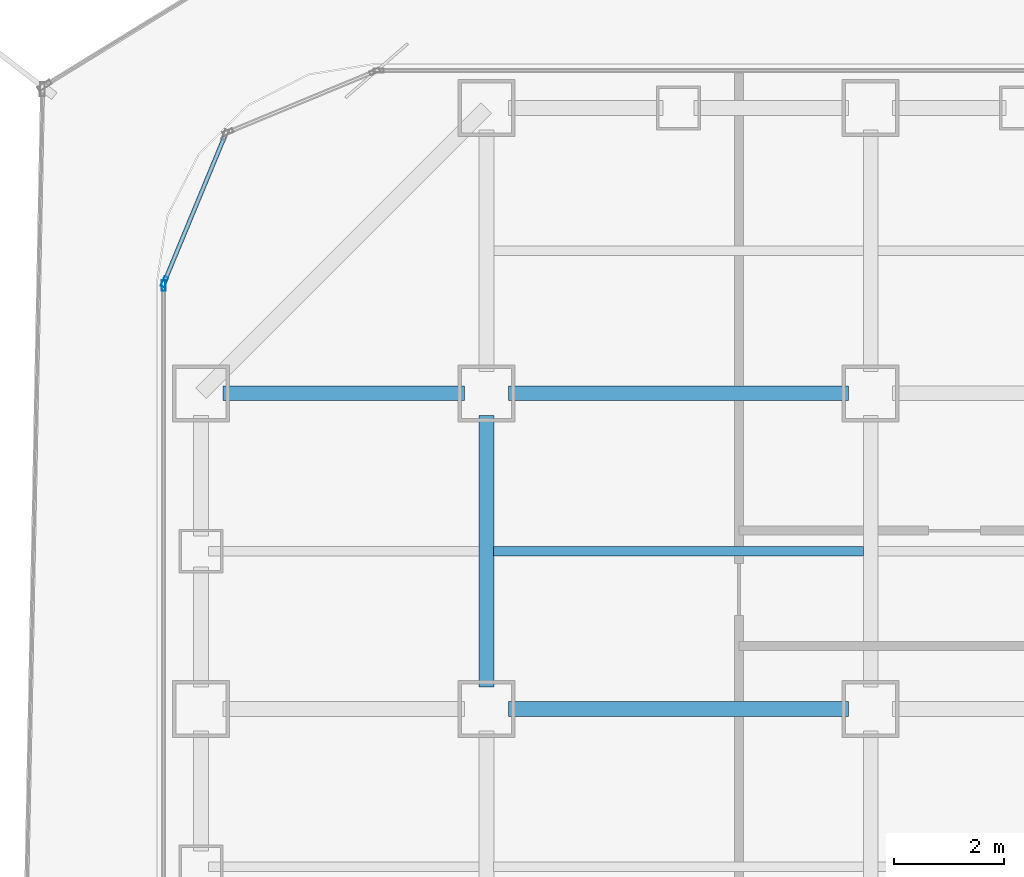
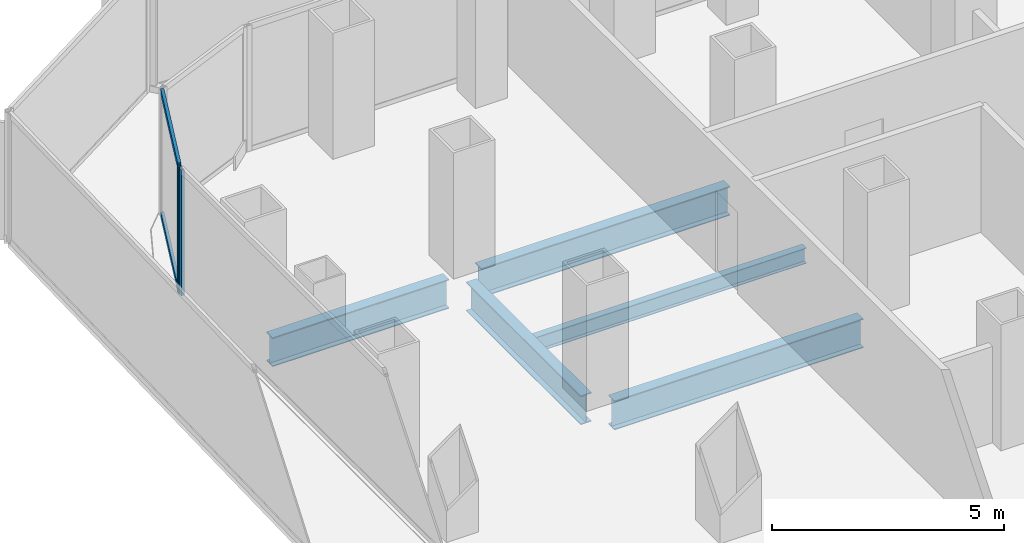
# One storey, part 10 of 21: 5 beams, 4 members, 2 elements without a shape of their own.
"""IFC4 building model written with IfcOpenShell, lengths in metres."""

from ifc_helpers import new_model, si_unit, direction, frame, origin, origin_2d, place, context, subcontext, project, spatial, hollow_rectangle, i_section, extrude, source, transform, mapped, material, layer, layer_set, material_profile, profile_set, type_object, element, aggregate, save


model = new_model("IFC4")

# Units and contexts
model_context = context("Model", 3, precision=1e-05, world=origin(), true_north=direction((0.0, 1.0)))
body_context = subcontext(model_context, "Body", "Model", "MODEL_VIEW")
ifc_project = project(units=[si_unit("LENGTHUNIT", "METRE"), si_unit("AREAUNIT", "SQUARE_METRE"), si_unit("VOLUMEUNIT", "CUBIC_METRE"), si_unit("PLANEANGLEUNIT", "RADIAN"), si_unit("MASSUNIT", "GRAM", prefix="KILO")], contexts=[model_context])

# Site, building, storey
site_placement = place(None, origin())
site = spatial("IfcSite", under=ifc_project, at=site_placement, CompositionType="ELEMENT")
building_placement = place(site_placement, origin())
building = spatial("IfcBuilding", under=site, at=building_placement, Name="Kolveth Station Tower", CompositionType="ELEMENT")
storey_placement = place(building_placement, frame((0.0, 0.0, 44.10009765625)))
storey = spatial("IfcBuildingStorey", under=building, at=storey_placement, Name="L11", CompositionType="ELEMENT", Elevation=44.10009765625)

# Beams
ifc_material_1 = material(Name="Steel S355", Category="steel")
ifc_material_profile_1 = material_profile(ifc_material_1, i_section(OverallWidth=0.26708984375, OverallDepth=0.76611328125, WebThickness=0.014892578125, FlangeThickness=0.023681640625, at=origin_2d()), Name="W760x185")
ifc_profile_set_1 = profile_set([ifc_material_profile_1], Name="Steel S355")
beam_type_1 = type_object("IfcBeamType", Name="Beam_B3", PredefinedType="BEAM", material=ifc_profile_set_1)
shared_shape_1 = source(origin(), body_context, "Body", "SweptSolid", [
    extrude(i_section(OverallWidth=0.26708984375, OverallDepth=0.76611328125, WebThickness=0.014892578125, FlangeThickness=0.023681640625, at=origin_2d()), origin(), (0.0, 0.0, 1.0), 4.400146484375),
])
beam_1_placement = place(storey_placement, frame((1.199951171875, 34.5, -0.6630859375), z_axis=(1.0, 0.0, 0.0), x_axis=(0.0, 1.0, 0.0)))
element("IfcBeam", 1, at=beam_1_placement, inside=storey, type_object=beam_type_1, Name="L11 Primary Girder BM-L11-GY345-1", PredefinedType="BEAM", context=body_context, shape_type="MappedRepresentation", body=[
    mapped(shared_shape_1, transform((0.0, 0.0, 0.0), x_axis=(1.0, 0.0, 0.0), y_axis=(0.0, 1.0, 0.0), z_axis=(0.0, 0.0, 1.0), scale=1.0)),
])
shared_shape_2 = source(origin(), body_context, "Body", "SweptSolid", [
    extrude(i_section(OverallWidth=0.26708984375, OverallDepth=0.76611328125, WebThickness=0.014892578125, FlangeThickness=0.023681640625, at=origin_2d()), origin(), (0.0, 0.0, 1.0), 6.2001953125),
])
for number, where, z_axis, x_axis, name in (
    (2, (6.39990234375, 28.75, -0.6630859375), (1.0, 0.0, 0.0), (0.0, 1.0, 0.0), "L11 Primary Girder BM-L11-GY287-2"),
    (3, (6.39990234375, 34.5, -0.6630859375), (1.0, 0.0, 0.0), (0.0, 1.0, 0.0), "L11 Primary Girder BM-L11-GY345-2"),
):
    element("IfcBeam", number, at=place(storey_placement, frame(where, z_axis=z_axis, x_axis=x_axis)), inside=storey, type_object=beam_type_1, Name=name, PredefinedType="BEAM", context=body_context, shape_type="MappedRepresentation", body=[
        mapped(shared_shape_2, transform((0.0, 0.0, 0.0), x_axis=(1.0, 0.0, 0.0), y_axis=(0.0, 1.0, 0.0), z_axis=(0.0, 0.0, 1.0), scale=1.0)),
    ])
shared_shape_3 = source(origin(), body_context, "Body", "SweptSolid", [
    extrude(i_section(OverallWidth=0.26708984375, OverallDepth=0.76611328125, WebThickness=0.014892578125, FlangeThickness=0.023681640625, at=origin_2d()), origin(), (0.0, 0.0, 1.0), 4.9501953125),
])
beam_2_placement = place(storey_placement, frame((6.0, 29.14990234375, -0.6630859375), z_axis=(0.0, 1.0, 0.0), x_axis=(-1.0, 0.0, 0.0)))
element("IfcBeam", 4, at=beam_2_placement, inside=storey, type_object=beam_type_1, Name="L11 Primary Girder BM-L11-GX60-6", PredefinedType="BEAM", context=body_context, shape_type="MappedRepresentation", body=[
    mapped(shared_shape_3, transform((0.0, 0.0, 0.0), x_axis=(1.0, 0.0, 0.0), y_axis=(0.0, 1.0, 0.0), z_axis=(0.0, 0.0, 1.0), scale=1.0)),
])
ifc_material_profile_2 = material_profile(ifc_material_1, i_section(OverallWidth=0.177978515625, OverallDepth=0.406982421875, WebThickness=0.0078125, FlangeThickness=0.0126953125, at=origin_2d()), Name="W410x60")
ifc_profile_set_2 = profile_set([ifc_material_profile_2], Name="Steel S355")
beam_type_2 = type_object("IfcBeamType", Name="Beam_J1", PredefinedType="JOIST", material=ifc_profile_set_2)
shared_shape_4 = source(origin(), body_context, "Body", "SweptSolid", [
    extrude(i_section(OverallWidth=0.177978515625, OverallDepth=0.406982421875, WebThickness=0.0078125, FlangeThickness=0.0126953125, at=origin_2d()), origin(), (0.0, 0.0, 1.0), 6.73681640625),
])
beam_3_placement = place(storey_placement, frame((6.131591796875, 31.625, -0.483642578125), z_axis=(1.0, 0.0, 0.0), x_axis=(0.0, 1.0, 0.0)))
element("IfcBeam", 5, at=beam_3_placement, inside=storey, type_object=beam_type_2, Name="L11 Secondary Joist JST-L11-2-6", PredefinedType="JOIST", context=body_context, shape_type="MappedRepresentation", body=[
    mapped(shared_shape_4, transform((0.0, 0.0, 0.0), x_axis=(1.0, 0.0, 0.0), y_axis=(0.0, 1.0, 0.0), z_axis=(0.0, 0.0, 1.0), scale=1.0)),
])

# Curtain wall, members
ifc_material_2 = material(Name="Aluminium 6063-T6 and low-E dark glass", Category="aluminium")
ifc_layer = layer(ifc_material_2, 0.179931640625)
ifc_layer_set = layer_set([ifc_layer], Name="Aluminium 6063-T6 and low-E dark glass")
curtain_wall_type = type_object("IfcCurtainWallType", Name="CurtainWall_CW-Z1", PredefinedType="NOTDEFINED", material=ifc_layer_set)
curtain_wall_1_placement = place(storey_placement, origin())
curtain_wall_1 = element("IfcCurtainWall", 6, at=curtain_wall_1_placement, inside=storey, type_object=curtain_wall_type, Name="L11 Inner Thermal Curtain Wall 8", PredefinedType="NOTDEFINED")
ifc_material_3 = material(Name="Black anodized aluminium 6063-T6", Category="aluminium")
ifc_material_profile_3 = material_profile(ifc_material_3, hollow_rectangle(XDim=0.074951171875, YDim=0.159912109375, WallThickness=0.0048828125, at=origin_2d()), Name="ALU-75x160x5")
ifc_profile_set_3 = profile_set([ifc_material_profile_3], Name="Black anodized aluminium 6063-T6")
member_type_1 = type_object("IfcMemberType", Name="Transom_TR1", PredefinedType="USERDEFINED", material=ifc_profile_set_3)
shared_shape_5 = source(origin(), body_context, "Body", "SweptSolid", [
    extrude(hollow_rectangle(XDim=0.074951171875, YDim=0.159912109375, WallThickness=0.0048828125, at=origin_2d()), origin(), (0.0, 0.0, 1.0), 2.819580078125),
])
member_1_placement = place(storey_placement, frame((1.227783203125, 39.17431640625, 0.037353515625), z_axis=(-0.382708655389, -0.923869084389, 0.0), x_axis=(0.923869084389, -0.382708655389, 0.0)))
member_1 = element("IfcMember", 7, at=member_1_placement, type_object=member_type_1, Name="CW-Z1 transom 1.1", ObjectType="TRANSOM", PredefinedType="USERDEFINED", context=body_context, shape_type="MappedRepresentation", body=[
    mapped(shared_shape_5, transform((0.0, 0.0, 0.0), x_axis=(1.0, 0.0, 0.0), y_axis=(0.0, 1.0, 0.0), z_axis=(0.0, 0.0, 1.0), scale=1.0)),
])
member_2_placement = place(storey_placement, frame((1.227783203125, 39.17431640625, 3.282470703125), z_axis=(-0.382708655389, -0.923869084389, 0.0), x_axis=(0.923869084389, -0.382708655389, 0.0)))
member_2 = element("IfcMember", 8, at=member_2_placement, type_object=member_type_1, Name="CW-Z1 transom 1.2", ObjectType="TRANSOM", PredefinedType="USERDEFINED", context=body_context, shape_type="MappedRepresentation", body=[
    mapped(shared_shape_5, transform((0.0, 0.0, 0.0), x_axis=(1.0, 0.0, 0.0), y_axis=(0.0, 1.0, 0.0), z_axis=(0.0, 0.0, 1.0), scale=1.0)),
])
ifc_material_profile_4 = material_profile(ifc_material_3, hollow_rectangle(XDim=0.074951171875, YDim=0.18994140625, WallThickness=0.0048828125, at=origin_2d()), Name="ALU-75x190x5")
ifc_profile_set_4 = profile_set([ifc_material_profile_4], Name="Black anodized aluminium 6063-T6")
member_type_2 = type_object("IfcMemberType", Name="Mullion_ML1", PredefinedType="MULLION", material=ifc_profile_set_4)
shared_shape_6 = source(origin(), body_context, "Body", "SweptSolid", [
    extrude(hollow_rectangle(XDim=0.074951171875, YDim=0.18994140625, WallThickness=0.0048828125, at=origin_2d()), origin(), (0.0, 0.0, 1.0), 3.31982421875),
])
member_3_placement = place(storey_placement, frame((0.13427734375, 36.53466796875, 0.0), z_axis=(0.0, 0.0, 1.0), x_axis=(0.923883857728, -0.382672990201, 0.0)))
member_3 = element("IfcMember", 9, at=member_3_placement, type_object=member_type_2, Name="CW-Z1 mullion 2", PredefinedType="MULLION", context=body_context, shape_type="MappedRepresentation", body=[
    mapped(shared_shape_6, transform((0.0, 0.0, 0.0), x_axis=(1.0, 0.0, 0.0), y_axis=(0.0, 1.0, 0.0), z_axis=(0.0, 0.0, 1.0), scale=1.0)),
])
aggregate(curtain_wall_1, [member_3, member_1, member_2])

# Curtain wall, member
curtain_wall_2_placement = place(storey_placement, origin())
curtain_wall_2 = element("IfcCurtainWall", 10, at=curtain_wall_2_placement, inside=storey, type_object=curtain_wall_type, Name="L11 Inner Thermal Curtain Wall 9", PredefinedType="NOTDEFINED")
member_4_placement = place(storey_placement, frame((0.1201171875, 36.46240234375, 0.0), z_axis=(0.0, 0.0, 1.0), x_axis=(1.0, 0.0, 0.0)))
member_4 = element("IfcMember", 11, at=member_4_placement, type_object=member_type_2, Name="CW-Z1 mullion 1", PredefinedType="MULLION", context=body_context, shape_type="MappedRepresentation", body=[
    mapped(shared_shape_6, transform((0.0, 0.0, 0.0), x_axis=(1.0, 0.0, 0.0), y_axis=(0.0, 1.0, 0.0), z_axis=(0.0, 0.0, 1.0), scale=1.0)),
])
aggregate(curtain_wall_2, [member_4])

save(model, "model.ifc")
